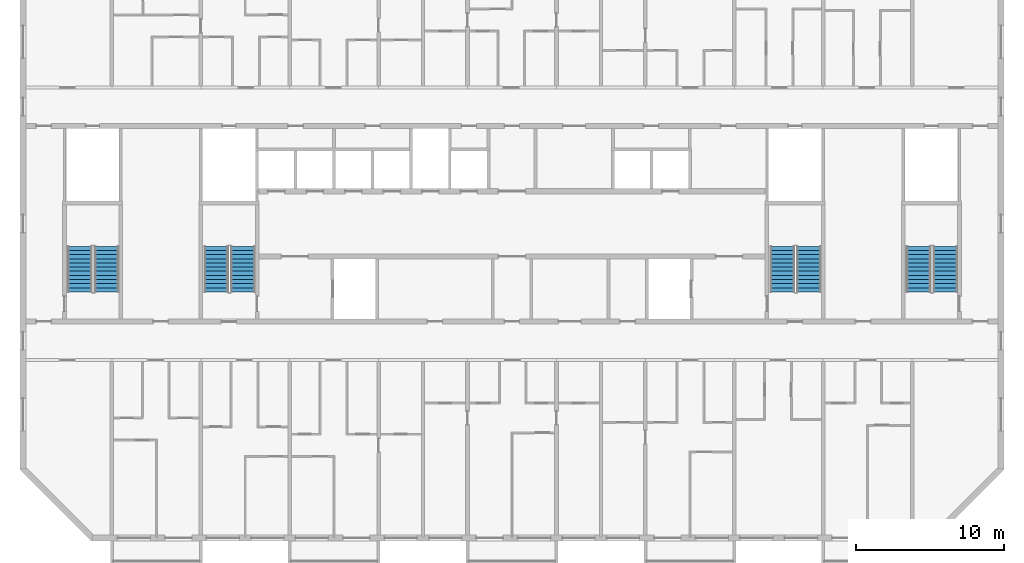
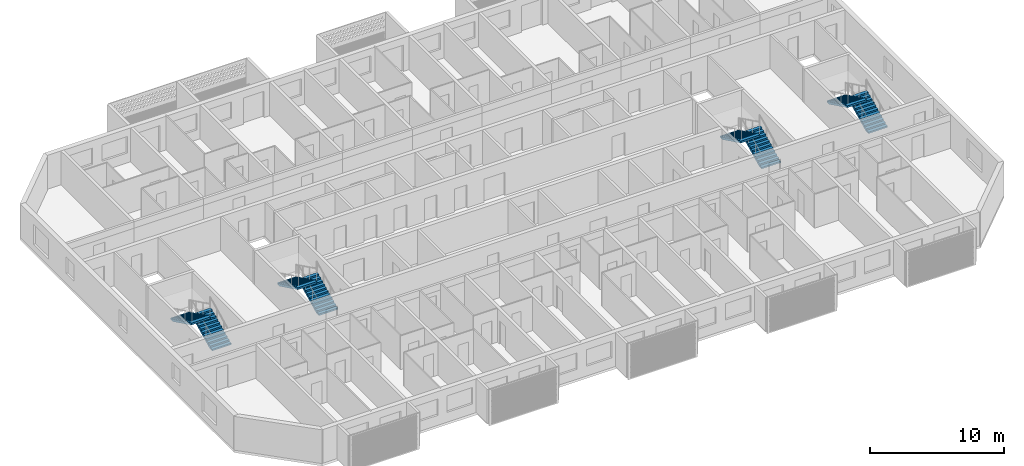
# One storey, part 11 of 26: 8 stair flights, 4 elements without a shape of their own.
"""IFC4 building model written with IfcOpenShell, lengths in metres."""

from ifc_helpers import new_model, si_unit, direction, frame, origin, place, context, subcontext, project, spatial, polyline, outline, extrude, material, layer, layer_set, type_object, element, aggregate, save


model = new_model("IFC4")

# Units and contexts
model_context = context("Model", 3, precision=1e-05, world=origin(), true_north=direction((0.0, 1.0)))
body_context = subcontext(model_context, "Body", "Model", "MODEL_VIEW")
ifc_project = project(units=[si_unit("LENGTHUNIT", "METRE"), si_unit("AREAUNIT", "SQUARE_METRE"), si_unit("VOLUMEUNIT", "CUBIC_METRE"), si_unit("PLANEANGLEUNIT", "RADIAN"), si_unit("MASSUNIT", "GRAM", prefix="KILO")], contexts=[model_context])

# Site, building, storey
site_placement = place(None, origin())
site = spatial("IfcSite", under=ifc_project, at=site_placement, CompositionType="ELEMENT")
building_placement = place(site_placement, origin())
building = spatial("IfcBuilding", under=site, at=building_placement, Name="Poui Terraces", CompositionType="ELEMENT")
storey_placement = place(building_placement, frame((0.0, 0.0, 221.39990234375)))
storey = spatial("IfcBuildingStorey", under=building, at=storey_placement, Name="L61", CompositionType="ELEMENT", Elevation=221.39990234375)

# Stair, stair flights
ifc_material = material(Name="Concrete 50 MPa", Category="concrete")
stair_type = type_object("IfcStairType", Name="EXIT STAIR 1650 50 MPA", PredefinedType="HALF_TURN_STAIR", material=ifc_material)
stair_1_placement = place(storey_placement, origin())
stair_1 = element("IfcStair", 1, at=stair_1_placement, inside=storey, type_object=stair_type, Name="L61 CORE STAIR EAST", PredefinedType="HALF_TURN_STAIR")
ifc_layer = layer(ifc_material, 0.14990234375)
ifc_layer_set = layer_set([ifc_layer], Name="Concrete 50 MPa")
stair_flight_type = type_object("IfcStairFlightType", Name="STAIR FLIGHT 12 RISERS 138 RISE 50 MPA", PredefinedType="STRAIGHT", material=ifc_layer_set)
stair_flight_1_placement = place(storey_placement, frame((71.050048828125, 16.60009765625, 0.0), z_axis=(0.0, 0.0, 1.0), x_axis=(0.0, 1.0, 0.0)))
stair_flight_1 = element("IfcStairFlight", 2, at=stair_flight_1_placement, type_object=stair_flight_type, Name="ST-CE flight 1", NumberOfRisers=12, NumberOfTreads=11, PredefinedType="STRAIGHT", RiserHeight=0.1375, TreadLength=0.28, context=body_context, shape_type="SweptSolid", body=[
    extrude(outline(polyline([(0.0, 0.0), (0.0, 0.137451171875), (0.280029296875, 0.137451171875), (0.280029296875, 0.27490234375), (0.56005859375, 0.27490234375), (0.56005859375, 0.41259765625), (0.840087890625, 0.41259765625), (0.840087890625, 0.550048828125), (1.1201171875, 0.550048828125), (1.1201171875, 0.6875), (1.39990234375, 0.6875), (1.39990234375, 0.824951171875), (1.679931640625, 0.824951171875), (1.679931640625, 0.96240234375), (1.9599609375, 0.96240234375), (1.9599609375, 1.10009765625), (2.239990234375, 1.10009765625), (2.239990234375, 1.237548828125), (2.52001953125, 1.237548828125), (2.52001953125, 1.375), (2.800048828125, 1.375), (2.800048828125, 1.512451171875), (3.080078125, 1.512451171875), (3.080078125, 1.64990234375), (3.080078125, 1.345458984375), (0.340087890625, 0.0), (0.0, 0.0)])), frame((0.0, 0.824951171875, 0.0), z_axis=(0.0, -1.0, 0.0), x_axis=(1.0, 0.0, 0.0)), (0.0, 0.0, 1.0), 1.64990234375),
])
stair_flight_2_placement = place(storey_placement, frame((69.25, 19.679931640625, 1.650146484375), z_axis=(0.0, 0.0, 1.0), x_axis=(0.0, -1.0, 0.0)))
stair_flight_2 = element("IfcStairFlight", 3, at=stair_flight_2_placement, type_object=stair_flight_type, Name="ST-CE flight 2", NumberOfRisers=12, NumberOfTreads=11, PredefinedType="STRAIGHT", RiserHeight=0.1375, TreadLength=0.28, context=body_context, shape_type="SweptSolid", body=[
    extrude(outline(polyline([(0.0, 0.0), (0.0, 0.137451171875), (0.280029296875, 0.137451171875), (0.280029296875, 0.27490234375), (0.56005859375, 0.27490234375), (0.56005859375, 0.41259765625), (0.840087890625, 0.41259765625), (0.840087890625, 0.550048828125), (1.1201171875, 0.550048828125), (1.1201171875, 0.6875), (1.39990234375, 0.6875), (1.39990234375, 0.824951171875), (1.679931640625, 0.824951171875), (1.679931640625, 0.96240234375), (1.9599609375, 0.96240234375), (1.9599609375, 1.10009765625), (2.239990234375, 1.10009765625), (2.239990234375, 1.237548828125), (2.52001953125, 1.237548828125), (2.52001953125, 1.375), (2.800048828125, 1.375), (2.800048828125, 1.512451171875), (3.080078125, 1.512451171875), (3.080078125, 1.64990234375), (3.080078125, 1.345458984375), (0.340087890625, 0.0), (0.0, 0.0)])), frame((0.0, 0.824951171875, 0.0), z_axis=(0.0, -1.0, 0.0), x_axis=(1.0, 0.0, 0.0)), (0.0, 0.0, 1.0), 1.64990234375),
])
aggregate(stair_1, [stair_flight_1, stair_flight_2])

stair_2_placement = place(storey_placement, origin())
stair_2 = element("IfcStair", 4, at=stair_2_placement, inside=storey, type_object=stair_type, Name="L61 CORE STAIR WEST", PredefinedType="HALF_TURN_STAIR")
stair_flight_3_placement = place(storey_placement, frame((32.85009765625, 16.60009765625, 0.0), z_axis=(0.0, 0.0, 1.0), x_axis=(0.0, 1.0, 0.0)))
stair_flight_3 = element("IfcStairFlight", 5, at=stair_flight_3_placement, type_object=stair_flight_type, Name="ST-CW flight 1", NumberOfRisers=12, NumberOfTreads=11, PredefinedType="STRAIGHT", RiserHeight=0.1375, TreadLength=0.28, context=body_context, shape_type="SweptSolid", body=[
    extrude(outline(polyline([(0.0, 0.0), (0.0, 0.137451171875), (0.280029296875, 0.137451171875), (0.280029296875, 0.27490234375), (0.56005859375, 0.27490234375), (0.56005859375, 0.41259765625), (0.840087890625, 0.41259765625), (0.840087890625, 0.550048828125), (1.1201171875, 0.550048828125), (1.1201171875, 0.6875), (1.39990234375, 0.6875), (1.39990234375, 0.824951171875), (1.679931640625, 0.824951171875), (1.679931640625, 0.96240234375), (1.9599609375, 0.96240234375), (1.9599609375, 1.10009765625), (2.239990234375, 1.10009765625), (2.239990234375, 1.237548828125), (2.52001953125, 1.237548828125), (2.52001953125, 1.375), (2.800048828125, 1.375), (2.800048828125, 1.512451171875), (3.080078125, 1.512451171875), (3.080078125, 1.64990234375), (3.080078125, 1.345458984375), (0.340087890625, 0.0), (0.0, 0.0)])), frame((0.0, 0.824951171875, 0.0), z_axis=(0.0, -1.0, 0.0), x_axis=(1.0, 0.0, 0.0)), (0.0, 0.0, 1.0), 1.64990234375),
])
stair_flight_4_placement = place(storey_placement, frame((31.050048828125, 19.679931640625, 1.650146484375), z_axis=(0.0, 0.0, 1.0), x_axis=(0.0, -1.0, 0.0)))
stair_flight_4 = element("IfcStairFlight", 6, at=stair_flight_4_placement, type_object=stair_flight_type, Name="ST-CW flight 2", NumberOfRisers=12, NumberOfTreads=11, PredefinedType="STRAIGHT", RiserHeight=0.1375, TreadLength=0.28, context=body_context, shape_type="SweptSolid", body=[
    extrude(outline(polyline([(0.0, 0.0), (0.0, 0.137451171875), (0.280029296875, 0.137451171875), (0.280029296875, 0.27490234375), (0.56005859375, 0.27490234375), (0.56005859375, 0.41259765625), (0.840087890625, 0.41259765625), (0.840087890625, 0.550048828125), (1.1201171875, 0.550048828125), (1.1201171875, 0.6875), (1.39990234375, 0.6875), (1.39990234375, 0.824951171875), (1.679931640625, 0.824951171875), (1.679931640625, 0.96240234375), (1.9599609375, 0.96240234375), (1.9599609375, 1.10009765625), (2.239990234375, 1.10009765625), (2.239990234375, 1.237548828125), (2.52001953125, 1.237548828125), (2.52001953125, 1.375), (2.800048828125, 1.375), (2.800048828125, 1.512451171875), (3.080078125, 1.512451171875), (3.080078125, 1.64990234375), (3.080078125, 1.345458984375), (0.340087890625, 0.0), (0.0, 0.0)])), frame((0.0, 0.824951171875, 0.0), z_axis=(0.0, -1.0, 0.0), x_axis=(1.0, 0.0, 0.0)), (0.0, 0.0, 1.0), 1.64990234375),
])
aggregate(stair_2, [stair_flight_3, stair_flight_4])

stair_3_placement = place(storey_placement, origin())
stair_3 = element("IfcStair", 7, at=stair_3_placement, inside=storey, type_object=stair_type, Name="L61 TIP STAIR EAST", PredefinedType="HALF_TURN_STAIR")
stair_flight_5_placement = place(storey_placement, frame((80.25, 16.60009765625, 0.0), z_axis=(0.0, 0.0, 1.0), x_axis=(0.0, 1.0, 0.0)))
stair_flight_5 = element("IfcStairFlight", 8, at=stair_flight_5_placement, type_object=stair_flight_type, Name="ST-E flight 1", NumberOfRisers=12, NumberOfTreads=11, PredefinedType="STRAIGHT", RiserHeight=0.1375, TreadLength=0.28, context=body_context, shape_type="SweptSolid", body=[
    extrude(outline(polyline([(0.0, 0.0), (0.0, 0.137451171875), (0.280029296875, 0.137451171875), (0.280029296875, 0.27490234375), (0.56005859375, 0.27490234375), (0.56005859375, 0.41259765625), (0.840087890625, 0.41259765625), (0.840087890625, 0.550048828125), (1.1201171875, 0.550048828125), (1.1201171875, 0.6875), (1.39990234375, 0.6875), (1.39990234375, 0.824951171875), (1.679931640625, 0.824951171875), (1.679931640625, 0.96240234375), (1.9599609375, 0.96240234375), (1.9599609375, 1.10009765625), (2.239990234375, 1.10009765625), (2.239990234375, 1.237548828125), (2.52001953125, 1.237548828125), (2.52001953125, 1.375), (2.800048828125, 1.375), (2.800048828125, 1.512451171875), (3.080078125, 1.512451171875), (3.080078125, 1.64990234375), (3.080078125, 1.345458984375), (0.340087890625, 0.0), (0.0, 0.0)])), frame((0.0, 0.824951171875, 0.0), z_axis=(0.0, -1.0, 0.0), x_axis=(1.0, 0.0, 0.0)), (0.0, 0.0, 1.0), 1.64990234375),
])
stair_flight_6_placement = place(storey_placement, frame((78.449951171875, 19.679931640625, 1.650146484375), z_axis=(0.0, 0.0, 1.0), x_axis=(0.0, -1.0, 0.0)))
stair_flight_6 = element("IfcStairFlight", 9, at=stair_flight_6_placement, type_object=stair_flight_type, Name="ST-E flight 2", NumberOfRisers=12, NumberOfTreads=11, PredefinedType="STRAIGHT", RiserHeight=0.1375, TreadLength=0.28, context=body_context, shape_type="SweptSolid", body=[
    extrude(outline(polyline([(0.0, 0.0), (0.0, 0.137451171875), (0.280029296875, 0.137451171875), (0.280029296875, 0.27490234375), (0.56005859375, 0.27490234375), (0.56005859375, 0.41259765625), (0.840087890625, 0.41259765625), (0.840087890625, 0.550048828125), (1.1201171875, 0.550048828125), (1.1201171875, 0.6875), (1.39990234375, 0.6875), (1.39990234375, 0.824951171875), (1.679931640625, 0.824951171875), (1.679931640625, 0.96240234375), (1.9599609375, 0.96240234375), (1.9599609375, 1.10009765625), (2.239990234375, 1.10009765625), (2.239990234375, 1.237548828125), (2.52001953125, 1.237548828125), (2.52001953125, 1.375), (2.800048828125, 1.375), (2.800048828125, 1.512451171875), (3.080078125, 1.512451171875), (3.080078125, 1.64990234375), (3.080078125, 1.345458984375), (0.340087890625, 0.0), (0.0, 0.0)])), frame((0.0, 0.824951171875, 0.0), z_axis=(0.0, -1.0, 0.0), x_axis=(1.0, 0.0, 0.0)), (0.0, 0.0, 1.0), 1.64990234375),
])
aggregate(stair_3, [stair_flight_5, stair_flight_6])

stair_4_placement = place(storey_placement, origin())
stair_4 = element("IfcStair", 10, at=stair_4_placement, inside=storey, type_object=stair_type, Name="L61 TIP STAIR WEST", PredefinedType="HALF_TURN_STAIR")
stair_flight_7_placement = place(storey_placement, frame((23.64990234375, 16.60009765625, 0.0), z_axis=(0.0, 0.0, 1.0), x_axis=(0.0, 1.0, 0.0)))
stair_flight_7 = element("IfcStairFlight", 11, at=stair_flight_7_placement, type_object=stair_flight_type, Name="ST-W flight 1", NumberOfRisers=12, NumberOfTreads=11, PredefinedType="STRAIGHT", RiserHeight=0.1375, TreadLength=0.28, context=body_context, shape_type="SweptSolid", body=[
    extrude(outline(polyline([(0.0, 0.0), (0.0, 0.137451171875), (0.280029296875, 0.137451171875), (0.280029296875, 0.27490234375), (0.56005859375, 0.27490234375), (0.56005859375, 0.41259765625), (0.840087890625, 0.41259765625), (0.840087890625, 0.550048828125), (1.1201171875, 0.550048828125), (1.1201171875, 0.6875), (1.39990234375, 0.6875), (1.39990234375, 0.824951171875), (1.679931640625, 0.824951171875), (1.679931640625, 0.96240234375), (1.9599609375, 0.96240234375), (1.9599609375, 1.10009765625), (2.239990234375, 1.10009765625), (2.239990234375, 1.237548828125), (2.52001953125, 1.237548828125), (2.52001953125, 1.375), (2.800048828125, 1.375), (2.800048828125, 1.512451171875), (3.080078125, 1.512451171875), (3.080078125, 1.64990234375), (3.080078125, 1.345458984375), (0.340087890625, 0.0), (0.0, 0.0)])), frame((0.0, 0.824951171875, 0.0), z_axis=(0.0, -1.0, 0.0), x_axis=(1.0, 0.0, 0.0)), (0.0, 0.0, 1.0), 1.64990234375),
])
stair_flight_8_placement = place(storey_placement, frame((21.85009765625, 19.679931640625, 1.650146484375), z_axis=(0.0, 0.0, 1.0), x_axis=(0.0, -1.0, 0.0)))
stair_flight_8 = element("IfcStairFlight", 12, at=stair_flight_8_placement, type_object=stair_flight_type, Name="ST-W flight 2", NumberOfRisers=12, NumberOfTreads=11, PredefinedType="STRAIGHT", RiserHeight=0.1375, TreadLength=0.28, context=body_context, shape_type="SweptSolid", body=[
    extrude(outline(polyline([(0.0, 0.0), (0.0, 0.137451171875), (0.280029296875, 0.137451171875), (0.280029296875, 0.27490234375), (0.56005859375, 0.27490234375), (0.56005859375, 0.41259765625), (0.840087890625, 0.41259765625), (0.840087890625, 0.550048828125), (1.1201171875, 0.550048828125), (1.1201171875, 0.6875), (1.39990234375, 0.6875), (1.39990234375, 0.824951171875), (1.679931640625, 0.824951171875), (1.679931640625, 0.96240234375), (1.9599609375, 0.96240234375), (1.9599609375, 1.10009765625), (2.239990234375, 1.10009765625), (2.239990234375, 1.237548828125), (2.52001953125, 1.237548828125), (2.52001953125, 1.375), (2.800048828125, 1.375), (2.800048828125, 1.512451171875), (3.080078125, 1.512451171875), (3.080078125, 1.64990234375), (3.080078125, 1.345458984375), (0.340087890625, 0.0), (0.0, 0.0)])), frame((0.0, 0.824951171875, 0.0), z_axis=(0.0, -1.0, 0.0), x_axis=(1.0, 0.0, 0.0)), (0.0, 0.0, 1.0), 1.64990234375),
])
aggregate(stair_4, [stair_flight_7, stair_flight_8])

save(model, "model.ifc")
